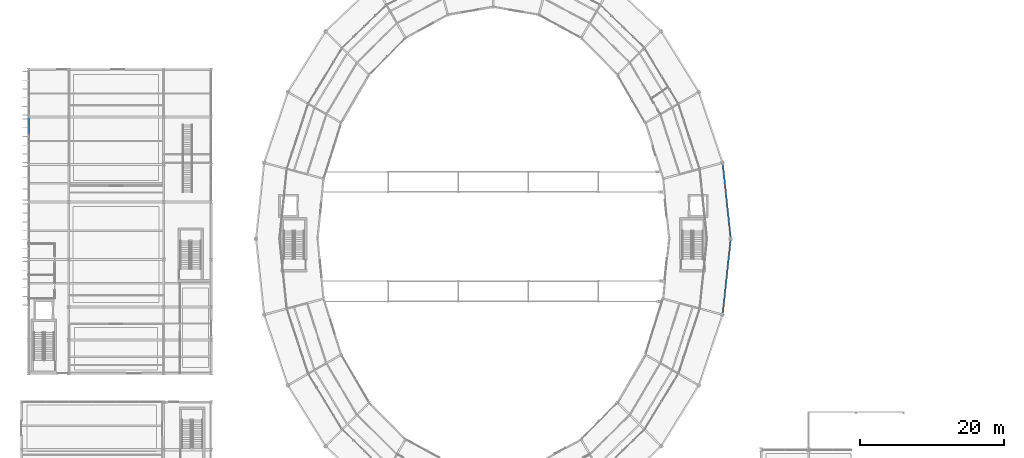
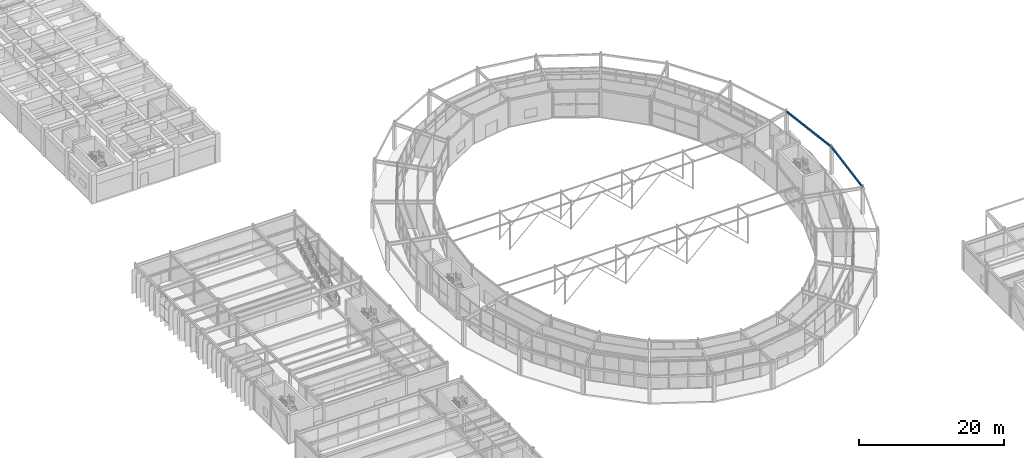
# One storey, part 69 of 144: 3 members, 2 beams, 1 element without a shape of its own.
"""IFC4 building model written with IfcOpenShell, lengths in metres."""

from ifc_helpers import new_model, si_unit, direction, frame, origin, origin_2d, place, context, subcontext, project, spatial, hollow_rectangle, extrude, material, material_profile, profile_set, type_object, element, aggregate, save


model = new_model("IFC4")

# Units and contexts
model_context = context("Model", 3, precision=1e-05, world=origin(), true_north=direction((0.0, 1.0)))
body_context = subcontext(model_context, "Body", "Model", "MODEL_VIEW")
ifc_project = project(units=[si_unit("LENGTHUNIT", "METRE"), si_unit("AREAUNIT", "SQUARE_METRE"), si_unit("VOLUMEUNIT", "CUBIC_METRE"), si_unit("PLANEANGLEUNIT", "RADIAN"), si_unit("MASSUNIT", "GRAM", prefix="KILO")], contexts=[model_context])

# Site, building, storey
site_placement = place(None, origin())
site = spatial("IfcSite", under=ifc_project, at=site_placement, CompositionType="ELEMENT")
building_placement = place(site_placement, origin())
building = spatial("IfcBuilding", under=site, at=building_placement, Name="Karori Crest Natural Sciences Institute", CompositionType="ELEMENT")
storey_placement = place(building_placement, origin())
storey = spatial("IfcBuildingStorey", under=building, at=storey_placement, Name="L00", CompositionType="ELEMENT", Elevation=0.0)

# Beams
ifc_material_1 = material(Name="Hollow structural steel AS/NZS 1163 Grade C350", Category="steel")
ifc_material_profile_1 = material_profile(ifc_material_1, hollow_rectangle(XDim=0.199951171875, YDim=0.300048828125, WallThickness=0.010009765625, at=origin_2d()), Name="RHS300x200x10")
ifc_profile_set_1 = profile_set([ifc_material_profile_1], Name="Hollow structural steel AS/NZS 1163 Grade C350")
beam_type = type_object("IfcBeamType", Name="BT-15", PredefinedType="SPANDREL", material=ifc_profile_set_1)
for number, where, z_axis, x_axis, name in (
    (1, (99.39990234375, 49.89990234375, 4.489990234375), (-0.105868278464, 0.994380162521, 0.0), (-0.994380162521, -0.105868278464, 0.0), "Beam B-0091"),
    (2, (98.275634765625, 39.340087890625, 4.489990234375), (0.105868278464, 0.994380162521, 0.0), (-0.994380162521, 0.105868278464, 0.0), "Beam B-0178"),
):
    element("IfcBeam", number, at=place(storey_placement, frame(where, z_axis=z_axis, x_axis=x_axis)), inside=storey, type_object=beam_type, Name=name, PredefinedType="SPANDREL", context=body_context, shape_type="SweptSolid", body=[
        extrude(hollow_rectangle(XDim=0.199951171875, YDim=0.300048828125, WallThickness=0.010009765625, at=origin_2d()), origin(), (0.0, 0.0, 1.0), 10.619384765625),
    ])

# Curtain wall, members
ifc_material_2 = material(Name="Anodised architectural aluminium 6063-T6", Category="aluminium")
curtain_wall_type = type_object("IfcCurtainWallType", Name="CWT-17", PredefinedType="NOTDEFINED", material=ifc_material_2)
curtain_wall_placement = place(storey_placement, origin())
curtain_wall = element("IfcCurtainWall", 3, at=curtain_wall_placement, inside=storey, type_object=curtain_wall_type, Name="Curtain wall CW-0257", PredefinedType="NOTDEFINED")
ifc_material_profile_2 = material_profile(ifc_material_2, hollow_rectangle(XDim=0.06005859375, YDim=0.1201171875, WallThickness=0.00390625, at=origin_2d()), Name="CWT120x60x4")
ifc_profile_set_2 = profile_set([ifc_material_profile_2], Name="Anodised architectural aluminium 6063-T6")
member_type = type_object("IfcMemberType", Name="CWT-TR1", PredefinedType="USERDEFINED", material=ifc_profile_set_2)
member_1_placement = place(storey_placement, frame((1.860107421875, 64.574951171875, 0.030029296875), z_axis=(0.0, 1.0, 0.0), x_axis=(-1.0, 0.0, 0.0)))
member_1 = element("IfcMember", 4, at=member_1_placement, type_object=member_type, Name="CW-0257 transom 3.1", ObjectType="TRANSOM", PredefinedType="USERDEFINED", context=body_context, shape_type="SweptSolid", body=[
    extrude(hollow_rectangle(XDim=0.06005859375, YDim=0.1201171875, WallThickness=0.00390625, at=origin_2d()), origin(), (0.0, 0.0, 1.0), 1.987060546875),
])
member_2_placement = place(storey_placement, frame((1.860107421875, 64.574951171875, 2.072509765625), z_axis=(0.0, 1.0, 0.0), x_axis=(-1.0, 0.0, 0.0)))
member_2 = element("IfcMember", 5, at=member_2_placement, type_object=member_type, Name="CW-0257 transom 3.2", ObjectType="TRANSOM", PredefinedType="USERDEFINED", context=body_context, shape_type="SweptSolid", body=[
    extrude(hollow_rectangle(XDim=0.06005859375, YDim=0.1201171875, WallThickness=0.00390625, at=origin_2d()), origin(), (0.0, 0.0, 1.0), 1.987060546875),
])
member_3_placement = place(storey_placement, frame((1.860107421875, 64.574951171875, 4.114990234375), z_axis=(0.0, 1.0, 0.0), x_axis=(-1.0, 0.0, 0.0)))
member_3 = element("IfcMember", 6, at=member_3_placement, type_object=member_type, Name="CW-0257 transom 3.3", ObjectType="TRANSOM", PredefinedType="USERDEFINED", context=body_context, shape_type="SweptSolid", body=[
    extrude(hollow_rectangle(XDim=0.06005859375, YDim=0.1201171875, WallThickness=0.00390625, at=origin_2d()), origin(), (0.0, 0.0, 1.0), 1.987060546875),
])
aggregate(curtain_wall, [member_1, member_2, member_3])

save(model, "model.ifc")
